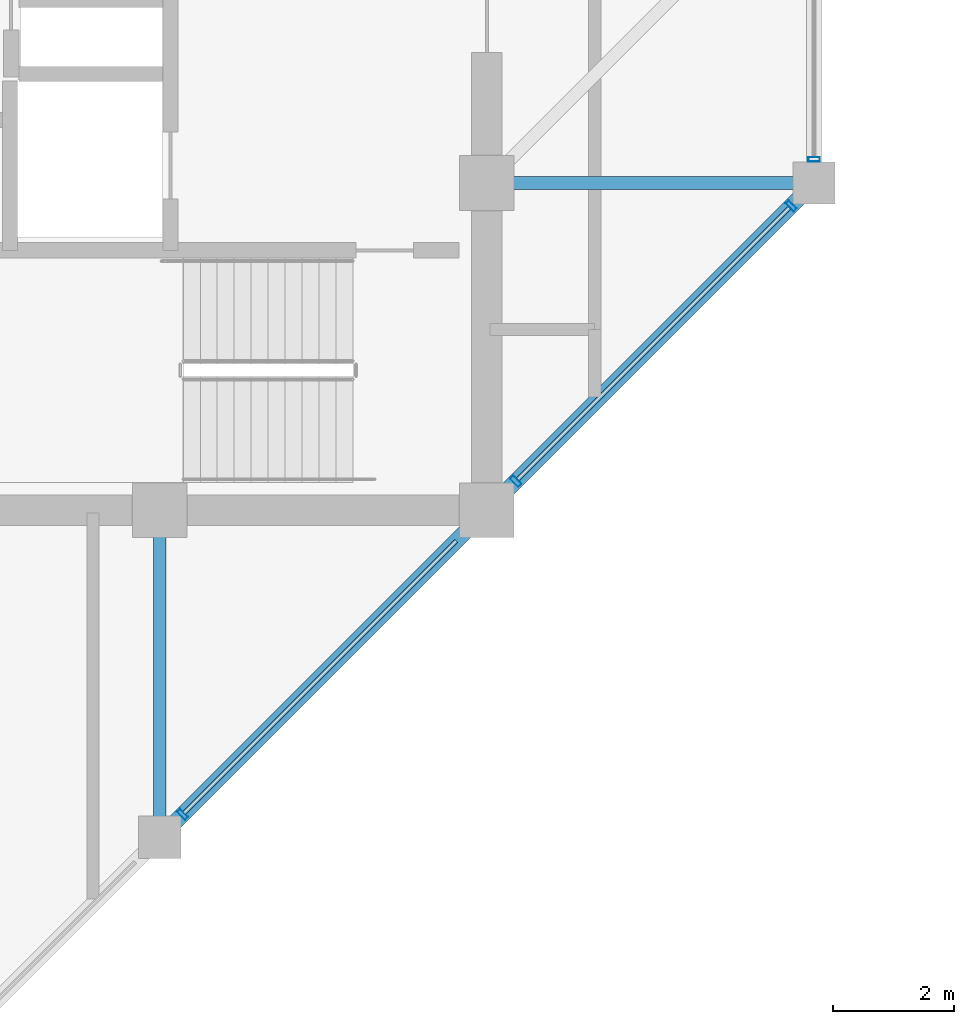
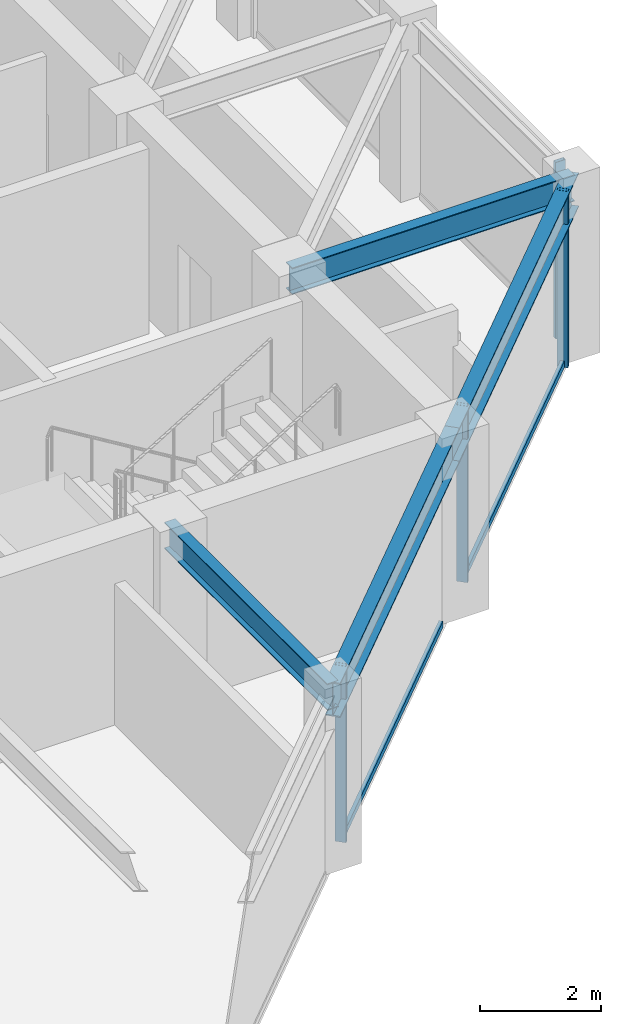
# One storey, part 9 of 31: 6 members, 4 beams, 2 elements without a shape of their own.
"""IFC4 building model written with IfcOpenShell, lengths in metres."""

from ifc_helpers import new_model, si_unit, direction, frame, origin, origin_2d, place, context, subcontext, project, spatial, hollow_rectangle, i_section, extrude, material, layer, layer_set, material_profile, profile_set, type_object, element, aggregate, save


model = new_model("IFC4")

# Units and contexts
model_context = context("Model", 3, precision=1e-05, world=origin(), true_north=direction((0.0, 1.0)))
body_context = subcontext(model_context, "Body", "Model", "MODEL_VIEW")
ifc_project = project(units=[si_unit("LENGTHUNIT", "METRE"), si_unit("AREAUNIT", "SQUARE_METRE"), si_unit("VOLUMEUNIT", "CUBIC_METRE"), si_unit("PLANEANGLEUNIT", "RADIAN"), si_unit("MASSUNIT", "GRAM", prefix="KILO")], contexts=[model_context])

# Site, building, storey
site_placement = place(None, origin())
site = spatial("IfcSite", under=ifc_project, at=site_placement, CompositionType="ELEMENT")
building_placement = place(site_placement, origin())
building = spatial("IfcBuilding", under=site, at=building_placement, Name="Surkhivell Harbour Commons", CompositionType="ELEMENT")
storey_placement = place(building_placement, frame((0.0, 0.0, 266.25)))
storey = spatial("IfcBuildingStorey", under=building, at=storey_placement, Name="L69", CompositionType="ELEMENT", Elevation=266.25)

# Beams
ifc_material_1 = material(Name="Steel S355", Category="steel")
ifc_material_profile_1 = material_profile(ifc_material_1, i_section(OverallWidth=0.2099609375, OverallDepth=0.537109375, WebThickness=0.0107421875, FlangeThickness=0.017333984375, at=origin_2d()), Name="UB533x210x101")
ifc_profile_set_1 = profile_set([ifc_material_profile_1], Name="Steel S355")
beam_type_1 = type_object("IfcBeamType", Name="BM-GRD-533B", PredefinedType="BEAM", material=ifc_profile_set_1)
for number, where, z_axis, x_axis, name in (
    (1, (5.39990234375, -16.199951171875, 3.301513671875), (0.0, 1.0, 0.0), (-1.0, 0.0, 0.0), "L69 Floor Girder (5.4,-16.2)"),
    (2, (10.800048828125, -5.39990234375, 3.301513671875), (1.0, 0.0, 0.0), (0.0, 1.0, 0.0), "L69 Floor Girder (10.8,-5.4)"),
):
    element("IfcBeam", number, at=place(storey_placement, frame(where, z_axis=z_axis, x_axis=x_axis)), inside=storey, type_object=beam_type_1, Name=name, PredefinedType="BEAM", context=body_context, shape_type="SweptSolid", body=[
        extrude(i_section(OverallWidth=0.2099609375, OverallDepth=0.537109375, WebThickness=0.0107421875, FlangeThickness=0.017333984375, at=origin_2d()), origin(), (0.0, 0.0, 1.0), 5.39990234375),
    ])
ifc_material_profile_2 = material_profile(ifc_material_1, i_section(OverallWidth=0.256103515625, OverallDepth=0.693115234375, WebThickness=0.014404296875, FlangeThickness=0.023681640625, at=origin_2d()), Name="UB686x254x170")
ifc_profile_set_2 = profile_set([ifc_material_profile_2], Name="Steel S355")
beam_type_2 = type_object("IfcBeamType", Name="BM-SPN-686", PredefinedType="SPANDREL", material=ifc_profile_set_2)
for number, where, z_axis, x_axis, name in (
    (3, (5.39990234375, -16.199951171875, 3.223388671875), (0.707122765516, 0.707090796496, 0.0), (-0.707090796496, 0.707122765516, 0.0), "L69 Tube Spandrel (5.4,-16.2)"),
    (4, (10.800048828125, -10.800048828125, 3.223388671875), (0.707090796496, 0.707122765516, 0.0), (-0.707122765516, 0.707090796496, 0.0), "L69 Tube Spandrel (10.8,-10.8)"),
):
    element("IfcBeam", number, at=place(storey_placement, frame(where, z_axis=z_axis, x_axis=x_axis)), inside=storey, type_object=beam_type_2, Name=name, PredefinedType="SPANDREL", context=body_context, shape_type="SweptSolid", body=[
        extrude(i_section(OverallWidth=0.256103515625, OverallDepth=0.693115234375, WebThickness=0.014404296875, FlangeThickness=0.023681640625, at=origin_2d()), origin(), (0.0, 0.0, 1.0), 7.63671875),
    ])

# Curtain wall, members
ifc_material_2 = material(Name="Anodised pale-metal aluminium and insulated glazing", Category="aluminium")
ifc_layer = layer(ifc_material_2, 0.175048828125)
ifc_layer_set = layer_set([ifc_layer], Name="Anodised pale-metal aluminium and insulated glazing")
curtain_wall_type = type_object("IfcCurtainWallType", Name="CW-SYS-Z4", PredefinedType="NOTDEFINED", material=ifc_layer_set)
curtain_wall_1_placement = place(storey_placement, origin())
curtain_wall_1 = element("IfcCurtainWall", 5, at=curtain_wall_1_placement, inside=storey, type_object=curtain_wall_type, Name="L69 Curtain Wall CW-L69-E01", PredefinedType="NOTDEFINED")
ifc_material_3 = material(Name="Anodised pale-metal aluminium alloy 6063-T6", Category="aluminium")
ifc_material_profile_3 = material_profile(ifc_material_3, hollow_rectangle(XDim=0.074951171875, YDim=0.18994140625, WallThickness=0.00390625, at=origin_2d()), Name="ALU-MULL-75x190")
ifc_profile_set_3 = profile_set([ifc_material_profile_3], Name="Anodised pale-metal aluminium alloy 6063-T6")
member_type_1 = type_object("IfcMemberType", Name="CWM-190", PredefinedType="MULLION", material=ifc_profile_set_3)
member_1_placement = place(storey_placement, frame((5.778076171875, -15.82177734375, 0.0), z_axis=(0.0, 0.0, 1.0), x_axis=(0.707106781187, 0.707106781187, 0.0)))
member_1 = element("IfcMember", 6, at=member_1_placement, type_object=member_type_1, Name="CW-Z4 mullion 2", PredefinedType="MULLION", context=body_context, shape_type="SweptSolid", body=[
    extrude(hollow_rectangle(XDim=0.074951171875, YDim=0.18994140625, WallThickness=0.00390625, at=origin_2d()), origin(), (0.0, 0.0, 1.0), 3.570068359375),
])
member_2_placement = place(storey_placement, frame((11.278076171875, -10.32177734375, 0.0), z_axis=(0.0, 0.0, 1.0), x_axis=(0.707106781187, 0.707106781187, 0.0)))
member_2 = element("IfcMember", 7, at=member_2_placement, type_object=member_type_1, Name="CW-Z4 mullion 3", PredefinedType="MULLION", context=body_context, shape_type="SweptSolid", body=[
    extrude(hollow_rectangle(XDim=0.074951171875, YDim=0.18994140625, WallThickness=0.00390625, at=origin_2d()), origin(), (0.0, 0.0, 1.0), 3.570068359375),
])
member_3_placement = place(storey_placement, frame((15.82177734375, -5.778076171875, 0.0), z_axis=(0.0, 0.0, 1.0), x_axis=(0.707106781187, 0.707106781187, 0.0)))
member_3 = element("IfcMember", 8, at=member_3_placement, type_object=member_type_1, Name="CW-Z4 mullion 4", PredefinedType="MULLION", context=body_context, shape_type="SweptSolid", body=[
    extrude(hollow_rectangle(XDim=0.074951171875, YDim=0.18994140625, WallThickness=0.00390625, at=origin_2d()), origin(), (0.0, 0.0, 1.0), 3.570068359375),
])

# Curtain wall, member
curtain_wall_2_placement = place(storey_placement, origin())
curtain_wall_2 = element("IfcCurtainWall", 9, at=curtain_wall_2_placement, inside=storey, type_object=curtain_wall_type, Name="L69 Curtain Wall CW-L69-E02R1", PredefinedType="NOTDEFINED")
member_4_placement = place(storey_placement, frame((16.199951171875, -5.010498046875, 0.0), z_axis=(0.0, 0.0, 1.0), x_axis=(0.0, 1.0, 0.0)))
member_4 = element("IfcMember", 10, at=member_4_placement, type_object=member_type_1, Name="CW-Z4 mullion 1", PredefinedType="MULLION", context=body_context, shape_type="SweptSolid", body=[
    extrude(hollow_rectangle(XDim=0.074951171875, YDim=0.18994140625, WallThickness=0.00390625, at=origin_2d()), origin(), (0.0, 0.0, 1.0), 3.570068359375),
])
aggregate(curtain_wall_2, [member_4])

# Member
ifc_material_4 = material(Name="Champagne anodised aluminium alloy 6063-T6", Category="aluminium")
ifc_material_profile_4 = material_profile(ifc_material_4, hollow_rectangle(XDim=0.070068359375, YDim=0.1298828125, WallThickness=0.00341796875, at=origin_2d()), Name="ALU-TRAN-70x130")
ifc_profile_set_4 = profile_set([ifc_material_profile_4], Name="Champagne anodised aluminium alloy 6063-T6")
member_type_2 = type_object("IfcMemberType", Name="CWT-130", PredefinedType="USERDEFINED", material=ifc_profile_set_4)
member_5_placement = place(storey_placement, frame((5.8046875, -15.79541015625, 0.06494140625), z_axis=(0.707106781187, 0.707106781187, 0.0), x_axis=(-0.707106781187, 0.707106781187, 0.0)))
member_5 = element("IfcMember", 11, at=member_5_placement, type_object=member_type_2, Name="CW-Z4 transom 2.1", ObjectType="TRANSOM", PredefinedType="USERDEFINED", context=body_context, shape_type="SweptSolid", body=[
    extrude(hollow_rectangle(XDim=0.070068359375, YDim=0.1298828125, WallThickness=0.00341796875, at=origin_2d()), origin(), (0.0, 0.0, 1.0), 6.350830078125),
])

member_6_placement = place(storey_placement, frame((11.3046875, -10.29541015625, 0.06494140625), z_axis=(0.707106781187, 0.707106781187, 0.0), x_axis=(-0.707106781187, 0.707106781187, 0.0)))
member_6 = element("IfcMember", 12, at=member_6_placement, type_object=member_type_2, Name="CW-Z4 transom 3.1", ObjectType="TRANSOM", PredefinedType="USERDEFINED", context=body_context, shape_type="SweptSolid", body=[
    extrude(hollow_rectangle(XDim=0.070068359375, YDim=0.1298828125, WallThickness=0.00341796875, at=origin_2d()), origin(), (0.0, 0.0, 1.0), 6.350830078125),
])

aggregate(curtain_wall_1, [member_1, member_5, member_2, member_3, member_6])

save(model, "model.ifc")
